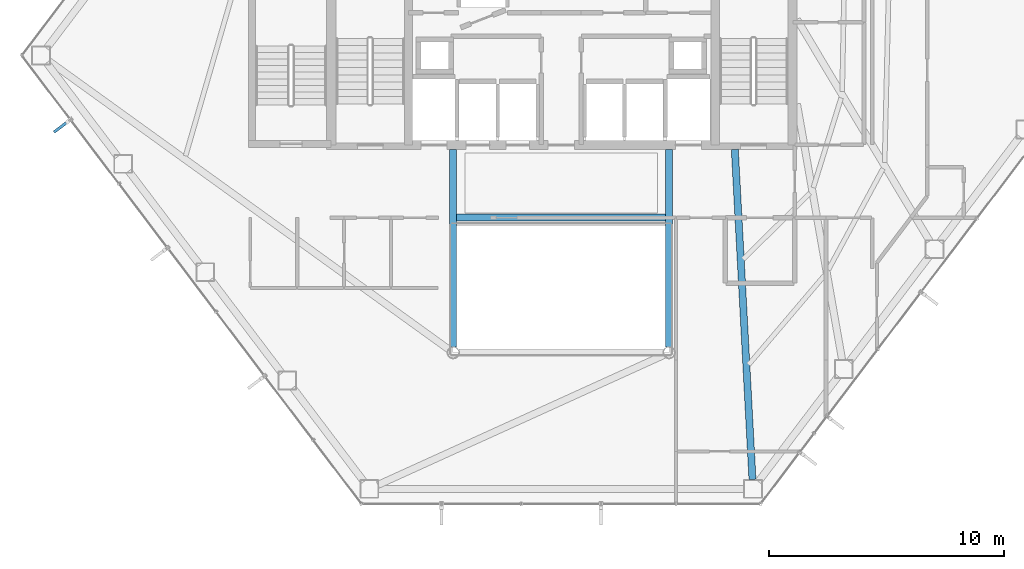
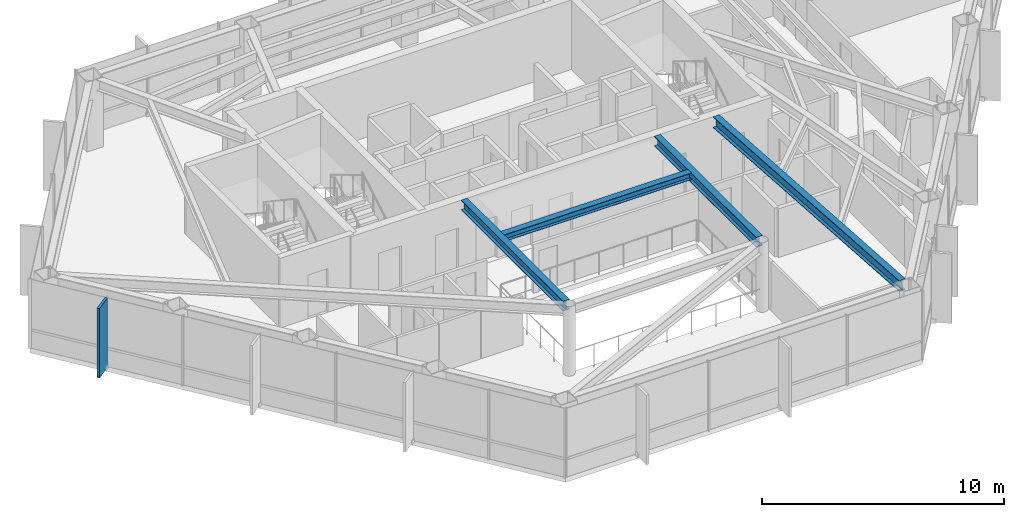
# One storey, part 9 of 29: 4 beams, 1 member, 1 element without a shape of its own.
"""IFC4 building model written with IfcOpenShell, lengths in metres."""

from ifc_helpers import new_model, si_unit, direction, frame, origin, origin_2d, place, context, subcontext, project, spatial, rectangle, i_section, extrude, material, layer, layer_set, material_profile, profile_set, type_object, element, aggregate, save


model = new_model("IFC4")

# Units and contexts
model_context = context("Model", 3, precision=1e-05, world=origin(), true_north=direction((0.0, 1.0)))
body_context = subcontext(model_context, "Body", "Model", "MODEL_VIEW")
ifc_project = project(units=[si_unit("LENGTHUNIT", "METRE"), si_unit("AREAUNIT", "SQUARE_METRE"), si_unit("VOLUMEUNIT", "CUBIC_METRE"), si_unit("PLANEANGLEUNIT", "RADIAN"), si_unit("MASSUNIT", "GRAM", prefix="KILO")], contexts=[model_context])

# Site, building, storey
site_placement = place(None, origin())
site = spatial("IfcSite", under=ifc_project, at=site_placement, CompositionType="ELEMENT")
building_placement = place(site_placement, origin())
building = spatial("IfcBuilding", under=site, at=building_placement, Name="Zarrinselat Tower", CompositionType="ELEMENT")
storey_placement = place(building_placement, frame((0.0, 0.0, 134.639892578125)))
storey = spatial("IfcBuildingStorey", under=building, at=storey_placement, Name="L32", CompositionType="ELEMENT", Elevation=134.639892578125)

# Beams
ifc_material_1 = material(Name="Steel S355J2", Category="steel")
ifc_material_profile_1 = material_profile(ifc_material_1, i_section(OverallWidth=0.300048828125, OverallDepth=0.35009765625, WebThickness=0.010009765625, FlangeThickness=0.017578125, at=origin_2d()), Name="HEA 360")
ifc_profile_set_1 = profile_set([ifc_material_profile_1], Name="Steel S355J2")
beam_type_1 = type_object("IfcBeamType", Name="BM-HEA360", PredefinedType="LINTEL", material=ifc_profile_set_1)
beam_1_placement = place(storey_placement, frame((33.93994140625, 30.14990234375, 3.3251953125), z_axis=(1.0, 0.0, 0.0), x_axis=(0.0, 1.0, 0.0)))
element("IfcBeam", 1, at=beam_1_placement, inside=storey, type_object=beam_type_1, Name="L32 Lift Lobby Ceiling Beam", PredefinedType="LINTEL", context=body_context, shape_type="SweptSolid", body=[
    extrude(i_section(OverallWidth=0.300048828125, OverallDepth=0.35009765625, WebThickness=0.010009765625, FlangeThickness=0.017578125, at=origin_2d()), origin(), (0.0, 0.0, 1.0), 8.920166015625),
])
ifc_material_2 = material(Name="Steel S355J2", Category="steel")
ifc_material_profile_2 = material_profile(ifc_material_2, i_section(OverallWidth=0.300048828125, OverallDepth=0.5, WebThickness=0.014404296875, FlangeThickness=0.028076171875, at=origin_2d()), Name="HEB 500")
ifc_profile_set_2 = profile_set([ifc_material_profile_2], Name="Steel S355J2")
beam_type_2 = type_object("IfcBeamType", Name="BM-HEB500", PredefinedType="BEAM", material=ifc_profile_set_2)
for number, where, z_axis, x_axis, name in (
    (2, (33.800048828125, 24.639892578125, 3.25), (0.0, 1.0, 0.0), (-1.0, 0.0, 0.0), "L32 Atrium Edge Beam W"),
    (3, (43.0, 24.639892578125, 3.25), (0.0, 1.0, 0.0), (-1.0, 0.0, 0.0), "L32 Atrium Edge Beam E"),
):
    element("IfcBeam", number, at=place(storey_placement, frame(where, z_axis=z_axis, x_axis=x_axis)), inside=storey, type_object=beam_type_2, Name=name, PredefinedType="BEAM", context=body_context, shape_type="SweptSolid", body=[
        extrude(i_section(OverallWidth=0.300048828125, OverallDepth=0.5, WebThickness=0.014404296875, FlangeThickness=0.028076171875, at=origin_2d()), origin(), (0.0, 0.0, 1.0), 8.420166015625),
    ])
ifc_material_3 = material(Name="Steel S355J2", Category="steel")
ifc_material_profile_3 = material_profile(ifc_material_3, i_section(OverallWidth=0.300048828125, OverallDepth=0.550048828125, WebThickness=0.014892578125, FlangeThickness=0.029052734375, at=origin_2d()), Name="HEB 550")
ifc_profile_set_3 = profile_set([ifc_material_profile_3], Name="Steel S355J2")
beam_type_3 = type_object("IfcBeamType", Name="BM-HEB550", PredefinedType="BEAM", material=ifc_profile_set_3)
beam_2_placement = place(storey_placement, frame((45.800048828125, 33.06005859375, 3.22509765625), z_axis=(0.053429588566, -0.998571619397, 0.0), x_axis=(0.998571619397, 0.053429588566, 0.0)))
element("IfcBeam", 4, at=beam_2_placement, inside=storey, type_object=beam_type_3, Name="L32 Radial Primary Girder RG11", PredefinedType="BEAM", context=body_context, shape_type="SweptSolid", body=[
    extrude(i_section(OverallWidth=0.300048828125, OverallDepth=0.550048828125, WebThickness=0.014892578125, FlangeThickness=0.029052734375, at=origin_2d()), origin(), (0.0, 0.0, 1.0), 14.082763671875),
])

# Curtain wall, member
ifc_material_4 = material(Name="Extruded Aluminium Alloy EN AW-6063 T6", Category="aluminium")
ifc_layer = layer(ifc_material_4, 0.175048828125)
ifc_layer_set = layer_set([ifc_layer], Name="Extruded Aluminium Alloy EN AW-6063 T6")
curtain_wall_type = type_object("IfcCurtainWallType", Name="CWS-HTL", PredefinedType="NOTDEFINED", material=ifc_layer_set)
curtain_wall_placement = place(storey_placement, origin())
curtain_wall = element("IfcCurtainWall", 5, at=curtain_wall_placement, inside=storey, type_object=curtain_wall_type, Name="L32 Unitised Curtain Wall CW-L32-E03", PredefinedType="NOTDEFINED")
ifc_material_5 = material(Name="Honed Cream Travertine Stone", Category="masonry")
ifc_material_profile_4 = material_profile(ifc_material_5, rectangle(XDim=0.1201171875, YDim=0.85009765625, at=origin_2d()), Name="FIN 850x120")
ifc_profile_set_4 = profile_set([ifc_material_profile_4], Name="Honed Cream Travertine Stone")
member_type = type_object("IfcMemberType", Name="MEM-STONE-FIN", PredefinedType="USERDEFINED", material=ifc_profile_set_4)
member_placement = place(storey_placement, frame((17.12451171875, 34.052001953125, 0.0), z_axis=(0.0, 0.0, 1.0), x_axis=(-0.603855520216, 0.797093790407, 0.0)))
member = element("IfcMember", 6, at=member_placement, type_object=member_type, Name="L32 Stone Shading Fin CW-L32-E03-01", ObjectType="FIN", PredefinedType="USERDEFINED", context=body_context, shape_type="SweptSolid", body=[
    extrude(rectangle(XDim=0.1201171875, YDim=0.85009765625, at=origin_2d()), origin(), (0.0, 0.0, 1.0), 3.5),
])
aggregate(curtain_wall, [member])

save(model, "model.ifc")
